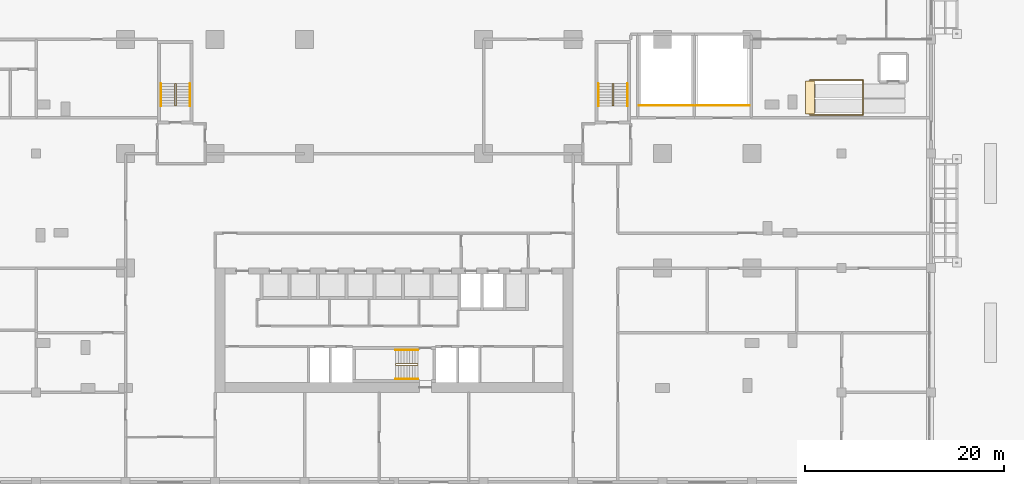
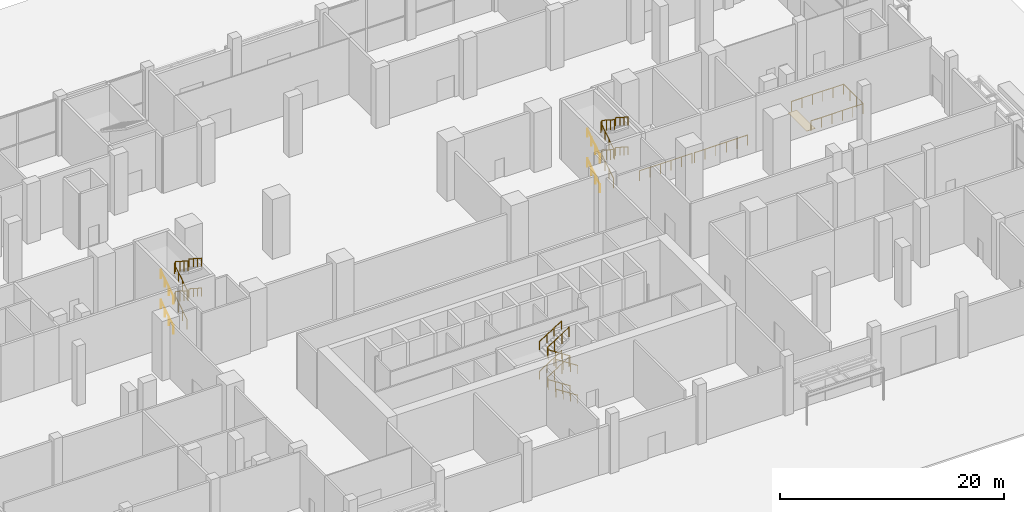
# One storey, part 38 of 39: 18 railings, 1 covering.
"""IFC4 building model written with IfcOpenShell, lengths in metres."""

import ifcopenshell
import ifcopenshell.guid

model = None  # the IFC model being written
_history = None  # IfcOwnerHistory: only IFC2X3 demands one
_inside = {}  # id of a spatial element -> (the spatial element, [elements in it])
_under = {}  # id of a project, library or spatial element -> (it, [spatial elements below it])
_declared = {}  # id of a project -> (the project, [libraries it declares])
_typed = {}  # id of a type object -> (the type object, [elements of that type])
_made_of = {}  # id of a material, layer set ... -> (it, [elements and type objects made of it])


def new_model(schema):
    """Start an empty IFC model of exactly this schema.

    Asked for "IFC4X3", IfcOpenShell would pick the latest addendum, in which some entities
    have other attributes; the version numbers below select the first issue.
    IFC2X3 requires an IfcOwnerHistory on every rooted entity: one is made here for all.
    """
    global model, _history
    if schema == "IFC4X3":
        model = ifcopenshell.file(schema_version=(4, 3, 0, 0))
    else:
        model = ifcopenshell.file(schema=schema)
    _inside.clear()
    _under.clear()
    _declared.clear()
    _typed.clear()
    _made_of.clear()
    _history = None
    if model.schema == "IFC2X3":
        org = make("IfcOrganization", Name="unknown")
        user = make(
            "IfcPersonAndOrganization",
            ThePerson=make("IfcPerson", FamilyName="unknown"),
            TheOrganization=org,
        )
        app = make(
            "IfcApplication",
            ApplicationDeveloper=org,
            Version="unknown",
            ApplicationFullName="unknown",
            ApplicationIdentifier="unknown",
        )
        _history = make(
            "IfcOwnerHistory",
            OwningUser=user,
            OwningApplication=app,
            ChangeAction="ADDED",
            CreationDate=0,
        )
    return model


def make(cls, **values):
    """One entity of the class cls with the attributes given. An attribute that is None is left unset."""
    return model.create_entity(
        cls, **{name: value for name, value in values.items() if value is not None}
    )


def rooted(cls, **values):
    """An entity with a GlobalId (a new one), such as an element, a storey or a relation."""
    return make(cls, GlobalId=ifcopenshell.guid.new(), OwnerHistory=_history, **values)


def si_unit(unit_type, name, prefix=None):
    """IfcSIUnit, for example si_unit("LENGTHUNIT", "METRE", prefix="MILLI")."""
    return make("IfcSIUnit", UnitType=unit_type, Prefix=prefix, Name=name)


def assignment(units):
    """IfcUnitAssignment: the units of a project."""
    return None if units is None else make("IfcUnitAssignment", Units=units)


def point(xyz):
    """IfcCartesianPoint."""
    return None if xyz is None else make("IfcCartesianPoint", Coordinates=xyz)


def direction(xyz):
    """IfcDirection."""
    return None if xyz is None else make("IfcDirection", DirectionRatios=xyz)


def frame(location, z_axis=None, x_axis=None):
    """IfcAxis2Placement3D, a coordinate frame: its origin and axes. An axis left out is left unset."""
    return make(
        "IfcAxis2Placement3D",
        Location=point(location),
        Axis=direction(z_axis),
        RefDirection=direction(x_axis),
    )


def frame_2d(location, x_axis=None):
    """IfcAxis2Placement2D, a coordinate frame in the plane: its origin and x axis."""
    return make(
        "IfcAxis2Placement2D", Location=point(location), RefDirection=direction(x_axis)
    )


def origin():
    """The frame at (0, 0, 0) with its axes left unset."""
    return frame((0.0, 0.0, 0.0))


def origin_2d():
    """The frame at (0, 0) in the plane with its x axis left unset."""
    return frame_2d((0.0, 0.0))


def place(relative_to, where):
    """IfcLocalPlacement: puts the frame where relative to a parent placement (None: the world)."""
    return make(
        "IfcLocalPlacement", PlacementRelTo=relative_to, RelativePlacement=where
    )


def context(
    kind, dimensions, precision=None, world=None, true_north=None, identifier=None
):
    """IfcGeometricRepresentationContext, for example the 3D "Model" context."""
    return make(
        "IfcGeometricRepresentationContext",
        ContextIdentifier=identifier,
        ContextType=kind,
        CoordinateSpaceDimension=dimensions,
        Precision=precision,
        WorldCoordinateSystem=world,
        TrueNorth=true_north,
    )


def subcontext(parent, identifier, kind, view, scale=None):
    """IfcGeometricRepresentationSubContext, for example "Body" below "Model"."""
    return make(
        "IfcGeometricRepresentationSubContext",
        ContextIdentifier=identifier,
        ContextType=kind,
        ParentContext=parent,
        TargetScale=scale,
        TargetView=view,
    )


def project(units=None, contexts=None):
    """IfcProject with its units and contexts."""
    return rooted(
        "IfcProject",
        Name="project",
        RepresentationContexts=contexts,
        UnitsInContext=assignment(units),
    )


def spatial(cls, under=None, at=None, **own):
    """A site, building, storey or space (cls), placed at a placement, below another one or the project."""
    s = rooted(cls, ObjectPlacement=at, **own)
    if under is not None:
        _under.setdefault(under.id(), (under, []))[1].append(s)
    return s


def polyline(points):
    """IfcPolyline through the points."""
    return make("IfcPolyline", Points=[point(p) for p in points])


def profile(cls, at=None, kind="AREA", **sizes):
    """A parametric profile (cls). Its sizes go by their IFC names, for example OverallWidth=200.0."""
    return make(cls, ProfileType=kind, Position=at, **sizes)


def circle(**sizes):
    """IfcCircleProfileDef."""
    return profile("IfcCircleProfileDef", **sizes)


def outline(outer, holes=None, kind="AREA"):
    """IfcArbitraryClosedProfileDef: a profile drawn as a closed curve; with holes, ...WithVoids."""
    if holes is None:
        return make("IfcArbitraryClosedProfileDef", ProfileType=kind, OuterCurve=outer)
    return make(
        "IfcArbitraryProfileDefWithVoids",
        ProfileType=kind,
        OuterCurve=outer,
        InnerCurves=holes,
    )


def extrude(swept, where, along, depth):
    """IfcExtrudedAreaSolid: the profile swept, set in the frame where, extruded along a direction by depth."""
    return make(
        "IfcExtrudedAreaSolid",
        SweptArea=swept,
        Position=where,
        ExtrudedDirection=direction(along),
        Depth=depth,
    )


def shape(context_of_items, identifier, shape_type, items):
    """IfcShapeRepresentation: the items that make up one representation, for example the "Body"."""
    return make(
        "IfcShapeRepresentation",
        ContextOfItems=context_of_items,
        RepresentationIdentifier=identifier,
        RepresentationType=shape_type,
        Items=items,
    )


def material(Name=None, Category=None):
    """IfcMaterial."""
    return make("IfcMaterial", Name=Name, Category=Category)


def layer(
    of_material, thickness, ventilated=None, Name=None, Category=None, Priority=None
):
    """IfcMaterialLayer: one layer of a wall or slab, of a material (None: an air gap)."""
    return make(
        "IfcMaterialLayer",
        Material=of_material,
        LayerThickness=thickness,
        IsVentilated=ventilated,
        Name=Name,
        Category=Category,
        Priority=Priority,
    )


def layer_set(layers, Name=None):
    """IfcMaterialLayerSet."""
    return make("IfcMaterialLayerSet", MaterialLayers=layers, LayerSetName=Name)


def made_of(thing, what):
    """Note that an element or type object is made of a material, layer set ...; save() writes the relation."""
    if what is not None:
        _made_of.setdefault(what.id(), (what, []))[1].append(thing)
    return thing


def type_object(cls, material=None, **own):
    """A type object (cls), such as IfcWallType, which elements share."""
    return made_of(rooted(cls, **own), material)


def element(
    cls,
    number,
    at=None,
    inside=None,
    cuts=None,
    type_object=None,
    material=None,
    context=None,
    identifier="Body",
    shape_type=None,
    held_by="IfcProductDefinitionShape",
    body=None,
    shapes=None,
    **own,
):
    """One element of the class cls, such as IfcWall. Its Tag is "e" and its number.

    at: its placement. inside: the storey or other place that contains it. cuts: it is an
    opening in that element (IfcRelVoidsElement). A single representation is given by context,
    identifier, shape_type and body (its items); several are given by shapes. held_by: the class
    of the entity that holds the representations. save() writes the other relations.
    """
    e = rooted(cls, Tag="e%d" % number, ObjectPlacement=at, **own)
    if body is not None:
        shapes = [shape(context, identifier, shape_type, body)]
    if shapes is not None:
        e.Representation = make(held_by, Representations=shapes)
    if inside is not None:
        _inside.setdefault(inside.id(), (inside, []))[1].append(e)
    if cuts is not None:
        rooted(
            "IfcRelVoidsElement", RelatingBuildingElement=cuts, RelatedOpeningElement=e
        )
    if type_object is not None:
        _typed.setdefault(type_object.id(), (type_object, []))[1].append(e)
    return made_of(e, material)


def aggregate(whole, parts):
    """IfcRelAggregates: a whole, such as a stair, and the parts it consists of."""
    return rooted("IfcRelAggregates", RelatingObject=whole, RelatedObjects=parts)


def save(model, path):
    """Write the relations noted so far, then the file.

    IfcRelAggregates (storeys below a building ...), IfcRelContainedInSpatialStructure (elements
    in a storey), IfcRelDefinesByType, IfcRelAssociatesMaterial and IfcRelDeclares: one each for
    every whole, place, type object, material and project.
    """
    for whole, parts in _under.values():
        aggregate(whole, parts)
    for where, things in _inside.values():
        rooted(
            "IfcRelContainedInSpatialStructure",
            RelatedElements=things,
            RelatingStructure=where,
        )
    for kind, things in _typed.values():
        rooted("IfcRelDefinesByType", RelatedObjects=things, RelatingType=kind)
    for what, things in _made_of.values():
        rooted("IfcRelAssociatesMaterial", RelatedObjects=things, RelatingMaterial=what)
    for by, libraries in _declared.values():
        rooted("IfcRelDeclares", RelatingContext=by, RelatedDefinitions=libraries)
    model.write(path)


model = new_model("IFC4")

# Units and contexts
model_context = context("Model", 3, precision=1e-05, world=origin(), true_north=direction((0.0, 1.0)))
body_context = subcontext(model_context, "Body", "Model", "MODEL_VIEW")
ifc_project = project(units=[si_unit("LENGTHUNIT", "METRE"), si_unit("AREAUNIT", "SQUARE_METRE"), si_unit("VOLUMEUNIT", "CUBIC_METRE"), si_unit("PLANEANGLEUNIT", "RADIAN"), si_unit("MASSUNIT", "GRAM", prefix="KILO")], contexts=[model_context])

# Site, building, storey
site_placement = place(None, origin())
site = spatial("IfcSite", under=ifc_project, at=site_placement, CompositionType="ELEMENT")
building_placement = place(site_placement, origin())
building = spatial("IfcBuilding", under=site, at=building_placement, Name="Brigalow Station Residences", CompositionType="ELEMENT")
storey_placement = place(building_placement, origin())
storey = spatial("IfcBuildingStorey", under=building, at=storey_placement, Name="L00", CompositionType="ELEMENT", Elevation=0.0)

# Covering
ifc_material_1 = material(Name="Aluminium ribbed floor plate", Category="aluminium")
ifc_layer = layer(ifc_material_1, 0.030029296875)
ifc_layer_set = layer_set([ifc_layer], Name="ESCALATOR LANDING PLATE")
covering_type = type_object("IfcCoveringType", Name="ESCALATOR LANDING PLATE", PredefinedType="FLOORING", material=ifc_layer_set)
covering_placement = place(storey_placement, origin())
element("IfcCovering", 1, at=covering_placement, inside=storey, type_object=covering_type, Name="Escalator landing plate", PredefinedType="FLOORING", context=body_context, shape_type="SweptSolid", body=[
    extrude(outline(polyline([(77.39990234375, 28.0), (78.300048828125, 28.0), (78.300048828125, 31.300048828125), (77.39990234375, 31.300048828125), (77.39990234375, 28.0)])), origin(), (0.0, 0.0, 1.0), 0.030029296875),
])

# Railings
ifc_material_2 = material(Name="Stainless steel and toughened glass", Category="steel")
railing_type_1 = type_object("IfcRailingType", Name="GUARD 1100", PredefinedType="GUARDRAIL", material=ifc_material_2)
railing_1_placement = place(storey_placement, frame((77.800048828125, 27.89990234375, 0.0)))
element("IfcRailing", 2, at=railing_1_placement, inside=storey, type_object=railing_type_1, Name="Escalator well ST-A guard", PredefinedType="GUARDRAIL", context=body_context, shape_type="SweptSolid", body=[
    extrude(circle(Radius=0.02392578125, at=origin_2d()), frame((0.0, 0.0, 1.076171875), z_axis=(1.0, 0.0, 0.0), x_axis=(0.0, 1.0, 0.0)), (0.0, 0.0, 1.0), 5.3798828125),
    extrude(circle(Radius=0.02392578125, at=origin_2d()), frame((5.3798828125, 0.0, 1.076171875), z_axis=(0.0, 1.0, 0.0), x_axis=(-1.0, 0.0, 0.0)), (0.0, 0.0, 1.0), 3.5),
    extrude(circle(Radius=0.02392578125, at=origin_2d()), frame((5.3798828125, 3.5, 1.076171875), z_axis=(-1.0, 0.0, 0.0), x_axis=(0.0, -1.0, 0.0)), (0.0, 0.0, 1.0), 5.3798828125),
    extrude(circle(Radius=0.02099609375, at=origin_2d()), origin(), (0.0, 0.0, 1.0), 1.052001953125),
    extrude(circle(Radius=0.02099609375, at=origin_2d()), frame((1.075927734375, 0.0, 0.0)), (0.0, 0.0, 1.0), 1.052001953125),
    extrude(circle(Radius=0.02099609375, at=origin_2d()), frame((2.15185546875, 0.0, 0.0)), (0.0, 0.0, 1.0), 1.052001953125),
    extrude(circle(Radius=0.02099609375, at=origin_2d()), frame((3.22802734375, 0.0, 0.0)), (0.0, 0.0, 1.0), 1.052001953125),
    extrude(circle(Radius=0.02099609375, at=origin_2d()), frame((4.303955078125, 0.0, 0.0)), (0.0, 0.0, 1.0), 1.052001953125),
    extrude(circle(Radius=0.02099609375, at=origin_2d()), frame((5.3798828125, 0.0, 0.0)), (0.0, 0.0, 1.0), 1.052001953125),
    extrude(circle(Radius=0.02099609375, at=origin_2d()), frame((5.3798828125, 1.166748046875, 0.0)), (0.0, 0.0, 1.0), 1.052001953125),
    extrude(circle(Radius=0.02099609375, at=origin_2d()), frame((5.3798828125, 2.333251953125, 0.0)), (0.0, 0.0, 1.0), 1.052001953125),
    extrude(circle(Radius=0.02099609375, at=origin_2d()), frame((5.3798828125, 3.5, 0.0)), (0.0, 0.0, 1.0), 1.052001953125),
    extrude(circle(Radius=0.02099609375, at=origin_2d()), frame((4.303955078125, 3.5, 0.0)), (0.0, 0.0, 1.0), 1.052001953125),
    extrude(circle(Radius=0.02099609375, at=origin_2d()), frame((3.22802734375, 3.5, 0.0)), (0.0, 0.0, 1.0), 1.052001953125),
    extrude(circle(Radius=0.02099609375, at=origin_2d()), frame((2.15185546875, 3.5, 0.0)), (0.0, 0.0, 1.0), 1.052001953125),
    extrude(circle(Radius=0.02099609375, at=origin_2d()), frame((1.075927734375, 3.5, 0.0)), (0.0, 0.0, 1.0), 1.052001953125),
    extrude(circle(Radius=0.02099609375, at=origin_2d()), frame((0.0, 3.5, 0.0)), (0.0, 0.0, 1.0), 1.052001953125),
])
for number, where, name in (
    (3, (60.625, 28.824951171875, 0.0), "Exit stair ES1 top landing guard"),
    (4, (66.324951171875, 28.824951171875, 0.0), "Exit stair ES2 top landing guard"),
):
    element("IfcRailing", number, at=place(storey_placement, frame(where)), inside=storey, type_object=railing_type_1, Name=name, PredefinedType="GUARDRAIL", context=body_context, shape_type="SweptSolid", body=[
        extrude(circle(Radius=0.02392578125, at=origin_2d()), frame((0.0, 0.0, 1.076171875), z_axis=(1.0, 0.0, 0.0), x_axis=(0.0, 1.0, 0.0)), (0.0, 0.0, 1.0), 5.449951171875),
        extrude(circle(Radius=0.02099609375, at=origin_2d()), origin(), (0.0, 0.0, 1.0), 1.052001953125),
        extrude(circle(Radius=0.02099609375, at=origin_2d()), frame((1.090087890625, 0.0, 0.0)), (0.0, 0.0, 1.0), 1.052001953125),
        extrude(circle(Radius=0.02099609375, at=origin_2d()), frame((2.179931640625, 0.0, 0.0)), (0.0, 0.0, 1.0), 1.052001953125),
        extrude(circle(Radius=0.02099609375, at=origin_2d()), frame((3.27001953125, 0.0, 0.0)), (0.0, 0.0, 1.0), 1.052001953125),
        extrude(circle(Radius=0.02099609375, at=origin_2d()), frame((4.35986328125, 0.0, 0.0)), (0.0, 0.0, 1.0), 1.052001953125),
        extrude(circle(Radius=0.02099609375, at=origin_2d()), frame((5.449951171875, 0.0, 0.0)), (0.0, 0.0, 1.0), 1.052001953125),
    ])
ifc_material_3 = material(Name="Stainless steel balustrade", Category="steel")
railing_type_2 = type_object("IfcRailingType", Name="STAIR GUARD 1100", PredefinedType="GUARDRAIL", material=ifc_material_3)
railing_2_placement = place(storey_placement, frame((38.39990234375, 2.72998046875, 0.180908203125)))
element("IfcRailing", 5, at=railing_2_placement, inside=storey, type_object=railing_type_2, Name="GUARD GR-2", PredefinedType="GUARDRAIL", context=body_context, shape_type="SweptSolid", body=[
    extrude(circle(Radius=0.02392578125, at=origin_2d()), frame((0.0, 0.0, 1.076171875), z_axis=(-0.840478330786, 0.0, 0.541845158213), x_axis=(0.0, -1.0, 0.0)), (0.0, 0.0, 1.0), 2.6650390625),
    extrude(circle(Radius=0.02392578125, at=origin_2d()), frame((-2.239990234375, 0.0, 2.52001953125), z_axis=(0.0, 0.612388350796, 0.790557087003), x_axis=(-1.0, 0.0, 0.0)), (0.0, 0.0, 1.0), 0.228759765625),
    extrude(circle(Radius=0.02392578125, at=origin_2d()), frame((-2.239990234375, 0.14013671875, 2.701171875), z_axis=(0.840478330786, 0.0, 0.541845158213), x_axis=(0.0, 1.0, 0.0)), (0.0, 0.0, 1.0), 2.6650390625),
    extrude(circle(Radius=0.02392578125, at=origin_2d()), frame((0.0, 0.14013671875, 4.14501953125), z_axis=(0.0, -0.612388350796, 0.790557087003), x_axis=(1.0, 0.0, 0.0)), (0.0, 0.0, 1.0), 0.228759765625),
    extrude(circle(Radius=0.02392578125, at=origin_2d()), frame((0.0, 0.0, 4.326171875), z_axis=(-0.840478330786, 0.0, 0.541845158213), x_axis=(0.0, -1.0, 0.0)), (0.0, 0.0, 1.0), 2.6650390625),
    extrude(circle(Radius=0.02392578125, at=origin_2d()), frame((-2.239990234375, 0.0, 5.77001953125), z_axis=(0.0, 0.612388350796, 0.790557087003), x_axis=(-1.0, 0.0, 0.0)), (0.0, 0.0, 1.0), 0.228759765625),
    extrude(circle(Radius=0.02392578125, at=origin_2d()), frame((-2.239990234375, 0.14013671875, 5.951171875), z_axis=(0.840478330786, 0.0, 0.541845158213), x_axis=(0.0, 1.0, 0.0)), (0.0, 0.0, 1.0), 2.6650390625),
    extrude(circle(Radius=0.02099609375, at=origin_2d()), origin(), (0.0, 0.0, 1.0), 1.052001953125),
    extrude(circle(Radius=0.02099609375, at=origin_2d()), frame((-0.74658203125, 0.0, 0.4814453125)), (0.0, 0.0, 1.0), 1.052001953125),
    extrude(circle(Radius=0.02099609375, at=origin_2d()), frame((-1.493408203125, 0.0, 0.962646484375)), (0.0, 0.0, 1.0), 1.052001953125),
    extrude(circle(Radius=0.02099609375, at=origin_2d()), frame((-2.239990234375, 0.0, 1.444091796875)), (0.0, 0.0, 1.0), 1.052001953125),
    extrude(circle(Radius=0.02099609375, at=origin_2d()), frame((-2.239990234375, 0.14013671875, 1.625)), (0.0, 0.0, 1.0), 1.052001953125),
    extrude(circle(Radius=0.02099609375, at=origin_2d()), frame((-1.493408203125, 0.14013671875, 2.1064453125)), (0.0, 0.0, 1.0), 1.052001953125),
    extrude(circle(Radius=0.02099609375, at=origin_2d()), frame((-0.74658203125, 0.14013671875, 2.587646484375)), (0.0, 0.0, 1.0), 1.052001953125),
    extrude(circle(Radius=0.02099609375, at=origin_2d()), frame((0.0, 0.14013671875, 3.069091796875)), (0.0, 0.0, 1.0), 1.052001953125),
    extrude(circle(Radius=0.02099609375, at=origin_2d()), frame((0.0, 0.0, 3.25)), (0.0, 0.0, 1.0), 1.052001953125),
    extrude(circle(Radius=0.02099609375, at=origin_2d()), frame((-0.74658203125, 0.0, 3.7314453125)), (0.0, 0.0, 1.0), 1.052001953125),
    extrude(circle(Radius=0.02099609375, at=origin_2d()), frame((-1.493408203125, 0.0, 4.212646484375)), (0.0, 0.0, 1.0), 1.052001953125),
    extrude(circle(Radius=0.02099609375, at=origin_2d()), frame((-2.239990234375, 0.0, 4.694091796875)), (0.0, 0.0, 1.0), 1.052001953125),
    extrude(circle(Radius=0.02099609375, at=origin_2d()), frame((-2.239990234375, 0.14013671875, 4.875)), (0.0, 0.0, 1.0), 1.052001953125),
    extrude(circle(Radius=0.02099609375, at=origin_2d()), frame((-1.493408203125, 0.14013671875, 5.3564453125)), (0.0, 0.0, 1.0), 1.052001953125),
    extrude(circle(Radius=0.02099609375, at=origin_2d()), frame((-0.74658203125, 0.14013671875, 5.837646484375)), (0.0, 0.0, 1.0), 1.052001953125),
    extrude(circle(Radius=0.02099609375, at=origin_2d()), frame((0.0, 0.14013671875, 6.319091796875)), (0.0, 0.0, 1.0), 1.052001953125),
])
railing_3_placement = place(storey_placement, frame((13.929931640625, 28.800048828125, 0.180908203125)))
element("IfcRailing", 6, at=railing_3_placement, inside=storey, type_object=railing_type_2, Name="GUARD GR-1", PredefinedType="GUARDRAIL", context=body_context, shape_type="SweptSolid", body=[
    extrude(circle(Radius=0.02392578125, at=origin_2d()), frame((0.0, 0.0, 1.076171875), z_axis=(0.0, 0.840478330786, 0.541845158213), x_axis=(-1.0, 0.0, 0.0)), (0.0, 0.0, 1.0), 2.6650390625),
    extrude(circle(Radius=0.02392578125, at=origin_2d()), frame((0.0, 2.239990234375, 2.52001953125), z_axis=(0.612388350796, 0.0, 0.790557087003), x_axis=(0.0, 1.0, 0.0)), (0.0, 0.0, 1.0), 0.228759765625),
    extrude(circle(Radius=0.02392578125, at=origin_2d()), frame((0.14013671875, 2.239990234375, 2.701171875), z_axis=(0.0, -0.840478330786, 0.541845158213), x_axis=(1.0, 0.0, 0.0)), (0.0, 0.0, 1.0), 2.6650390625),
    extrude(circle(Radius=0.02392578125, at=origin_2d()), frame((0.14013671875, 0.0, 4.14501953125), z_axis=(-0.612388350796, 0.0, 0.790557087003), x_axis=(0.0, -1.0, 0.0)), (0.0, 0.0, 1.0), 0.228759765625),
    extrude(circle(Radius=0.02392578125, at=origin_2d()), frame((0.0, 0.0, 4.326171875), z_axis=(0.0, 0.840478330786, 0.541845158213), x_axis=(-1.0, 0.0, 0.0)), (0.0, 0.0, 1.0), 2.6650390625),
    extrude(circle(Radius=0.02392578125, at=origin_2d()), frame((0.0, 2.239990234375, 5.77001953125), z_axis=(0.612388350796, 0.0, 0.790557087003), x_axis=(0.0, 1.0, 0.0)), (0.0, 0.0, 1.0), 0.228759765625),
    extrude(circle(Radius=0.02392578125, at=origin_2d()), frame((0.14013671875, 2.239990234375, 5.951171875), z_axis=(0.0, -0.840478330786, 0.541845158213), x_axis=(1.0, 0.0, 0.0)), (0.0, 0.0, 1.0), 2.6650390625),
    extrude(circle(Radius=0.02099609375, at=origin_2d()), origin(), (0.0, 0.0, 1.0), 1.052001953125),
    extrude(circle(Radius=0.02099609375, at=origin_2d()), frame((0.0, 0.74658203125, 0.4814453125)), (0.0, 0.0, 1.0), 1.052001953125),
    extrude(circle(Radius=0.02099609375, at=origin_2d()), frame((0.0, 1.493408203125, 0.962646484375)), (0.0, 0.0, 1.0), 1.052001953125),
    extrude(circle(Radius=0.02099609375, at=origin_2d()), frame((0.0, 2.239990234375, 1.444091796875)), (0.0, 0.0, 1.0), 1.052001953125),
    extrude(circle(Radius=0.02099609375, at=origin_2d()), frame((0.14013671875, 2.239990234375, 1.625)), (0.0, 0.0, 1.0), 1.052001953125),
    extrude(circle(Radius=0.02099609375, at=origin_2d()), frame((0.14013671875, 1.493408203125, 2.1064453125)), (0.0, 0.0, 1.0), 1.052001953125),
    extrude(circle(Radius=0.02099609375, at=origin_2d()), frame((0.14013671875, 0.74658203125, 2.587646484375)), (0.0, 0.0, 1.0), 1.052001953125),
    extrude(circle(Radius=0.02099609375, at=origin_2d()), frame((0.14013671875, 0.0, 3.069091796875)), (0.0, 0.0, 1.0), 1.052001953125),
    extrude(circle(Radius=0.02099609375, at=origin_2d()), frame((0.0, 0.0, 3.25)), (0.0, 0.0, 1.0), 1.052001953125),
    extrude(circle(Radius=0.02099609375, at=origin_2d()), frame((0.0, 0.74658203125, 3.7314453125)), (0.0, 0.0, 1.0), 1.052001953125),
    extrude(circle(Radius=0.02099609375, at=origin_2d()), frame((0.0, 1.493408203125, 4.212646484375)), (0.0, 0.0, 1.0), 1.052001953125),
    extrude(circle(Radius=0.02099609375, at=origin_2d()), frame((0.0, 2.239990234375, 4.694091796875)), (0.0, 0.0, 1.0), 1.052001953125),
    extrude(circle(Radius=0.02099609375, at=origin_2d()), frame((0.14013671875, 2.239990234375, 4.875)), (0.0, 0.0, 1.0), 1.052001953125),
    extrude(circle(Radius=0.02099609375, at=origin_2d()), frame((0.14013671875, 1.493408203125, 5.3564453125)), (0.0, 0.0, 1.0), 1.052001953125),
    extrude(circle(Radius=0.02099609375, at=origin_2d()), frame((0.14013671875, 0.74658203125, 5.837646484375)), (0.0, 0.0, 1.0), 1.052001953125),
    extrude(circle(Radius=0.02099609375, at=origin_2d()), frame((0.14013671875, 0.0, 6.319091796875)), (0.0, 0.0, 1.0), 1.052001953125),
])
railing_4_placement = place(storey_placement, frame((57.929931640625, 28.800048828125, 0.180908203125)))
element("IfcRailing", 7, at=railing_4_placement, inside=storey, type_object=railing_type_2, Name="GUARD GR-3", PredefinedType="GUARDRAIL", context=body_context, shape_type="SweptSolid", body=[
    extrude(circle(Radius=0.02392578125, at=origin_2d()), frame((0.0, 0.0, 1.076171875), z_axis=(0.0, 0.840478330786, 0.541845158213), x_axis=(-1.0, 0.0, 0.0)), (0.0, 0.0, 1.0), 2.6650390625),
    extrude(circle(Radius=0.02392578125, at=origin_2d()), frame((0.0, 2.239990234375, 2.52001953125), z_axis=(0.612388350796, 0.0, 0.790557087003), x_axis=(0.0, 1.0, 0.0)), (0.0, 0.0, 1.0), 0.228759765625),
    extrude(circle(Radius=0.02392578125, at=origin_2d()), frame((0.14013671875, 2.239990234375, 2.701171875), z_axis=(0.0, -0.840478330786, 0.541845158213), x_axis=(1.0, 0.0, 0.0)), (0.0, 0.0, 1.0), 2.6650390625),
    extrude(circle(Radius=0.02392578125, at=origin_2d()), frame((0.14013671875, 0.0, 4.14501953125), z_axis=(-0.612388350796, 0.0, 0.790557087003), x_axis=(0.0, -1.0, 0.0)), (0.0, 0.0, 1.0), 0.228759765625),
    extrude(circle(Radius=0.02392578125, at=origin_2d()), frame((0.0, 0.0, 4.326171875), z_axis=(0.0, 0.840478330786, 0.541845158213), x_axis=(-1.0, 0.0, 0.0)), (0.0, 0.0, 1.0), 2.6650390625),
    extrude(circle(Radius=0.02392578125, at=origin_2d()), frame((0.0, 2.239990234375, 5.77001953125), z_axis=(0.612388350796, 0.0, 0.790557087003), x_axis=(0.0, 1.0, 0.0)), (0.0, 0.0, 1.0), 0.228759765625),
    extrude(circle(Radius=0.02392578125, at=origin_2d()), frame((0.14013671875, 2.239990234375, 5.951171875), z_axis=(0.0, -0.840478330786, 0.541845158213), x_axis=(1.0, 0.0, 0.0)), (0.0, 0.0, 1.0), 2.6650390625),
    extrude(circle(Radius=0.02099609375, at=origin_2d()), origin(), (0.0, 0.0, 1.0), 1.052001953125),
    extrude(circle(Radius=0.02099609375, at=origin_2d()), frame((0.0, 0.74658203125, 0.4814453125)), (0.0, 0.0, 1.0), 1.052001953125),
    extrude(circle(Radius=0.02099609375, at=origin_2d()), frame((0.0, 1.493408203125, 0.962646484375)), (0.0, 0.0, 1.0), 1.052001953125),
    extrude(circle(Radius=0.02099609375, at=origin_2d()), frame((0.0, 2.239990234375, 1.444091796875)), (0.0, 0.0, 1.0), 1.052001953125),
    extrude(circle(Radius=0.02099609375, at=origin_2d()), frame((0.14013671875, 2.239990234375, 1.625)), (0.0, 0.0, 1.0), 1.052001953125),
    extrude(circle(Radius=0.02099609375, at=origin_2d()), frame((0.14013671875, 1.493408203125, 2.1064453125)), (0.0, 0.0, 1.0), 1.052001953125),
    extrude(circle(Radius=0.02099609375, at=origin_2d()), frame((0.14013671875, 0.74658203125, 2.587646484375)), (0.0, 0.0, 1.0), 1.052001953125),
    extrude(circle(Radius=0.02099609375, at=origin_2d()), frame((0.14013671875, 0.0, 3.069091796875)), (0.0, 0.0, 1.0), 1.052001953125),
    extrude(circle(Radius=0.02099609375, at=origin_2d()), frame((0.0, 0.0, 3.25)), (0.0, 0.0, 1.0), 1.052001953125),
    extrude(circle(Radius=0.02099609375, at=origin_2d()), frame((0.0, 0.74658203125, 3.7314453125)), (0.0, 0.0, 1.0), 1.052001953125),
    extrude(circle(Radius=0.02099609375, at=origin_2d()), frame((0.0, 1.493408203125, 4.212646484375)), (0.0, 0.0, 1.0), 1.052001953125),
    extrude(circle(Radius=0.02099609375, at=origin_2d()), frame((0.0, 2.239990234375, 4.694091796875)), (0.0, 0.0, 1.0), 1.052001953125),
    extrude(circle(Radius=0.02099609375, at=origin_2d()), frame((0.14013671875, 2.239990234375, 4.875)), (0.0, 0.0, 1.0), 1.052001953125),
    extrude(circle(Radius=0.02099609375, at=origin_2d()), frame((0.14013671875, 1.493408203125, 5.3564453125)), (0.0, 0.0, 1.0), 1.052001953125),
    extrude(circle(Radius=0.02099609375, at=origin_2d()), frame((0.14013671875, 0.74658203125, 5.837646484375)), (0.0, 0.0, 1.0), 1.052001953125),
    extrude(circle(Radius=0.02099609375, at=origin_2d()), frame((0.14013671875, 0.0, 6.319091796875)), (0.0, 0.0, 1.0), 1.052001953125),
])
ifc_material_4 = material(Name="Stainless steel handrail", Category="steel")
railing_type_3 = type_object("IfcRailingType", Name="STAIR HANDRAIL 900", PredefinedType="HANDRAIL", material=ifc_material_4)
railing_5_placement = place(storey_placement, frame((38.39990234375, 1.340087890625, 0.180908203125)))
element("IfcRailing", 8, at=railing_5_placement, inside=storey, type_object=railing_type_3, Name="HANDRAIL HR-21", PredefinedType="HANDRAIL", context=body_context, shape_type="SweptSolid", body=[
    extrude(circle(Radius=0.02392578125, at=origin_2d()), frame((0.0, 0.0, 0.8759765625), z_axis=(-0.840478330786, 0.0, 0.541845158213), x_axis=(0.0, -1.0, 0.0)), (0.0, 0.0, 1.0), 2.6650390625),
    extrude(circle(Radius=0.02099609375, at=origin_2d()), origin(), (0.0, 0.0, 1.0), 0.851806640625),
    extrude(circle(Radius=0.02099609375, at=origin_2d()), frame((-0.74658203125, 0.0, 0.4814453125)), (0.0, 0.0, 1.0), 0.851806640625),
    extrude(circle(Radius=0.02099609375, at=origin_2d()), frame((-1.493408203125, 0.0, 0.962646484375)), (0.0, 0.0, 1.0), 0.851806640625),
    extrude(circle(Radius=0.02099609375, at=origin_2d()), frame((-2.239990234375, 0.0, 1.444091796875)), (0.0, 0.0, 1.0), 0.851806640625),
])
railing_6_placement = place(storey_placement, frame((36.159912109375, 4.260009765625, 1.805908203125)))
element("IfcRailing", 9, at=railing_6_placement, inside=storey, type_object=railing_type_3, Name="HANDRAIL HR-22", PredefinedType="HANDRAIL", context=body_context, shape_type="SweptSolid", body=[
    extrude(circle(Radius=0.02392578125, at=origin_2d()), frame((0.0, 0.0, 0.8759765625), z_axis=(0.840478330786, 0.0, 0.541845158213), x_axis=(0.0, 1.0, 0.0)), (0.0, 0.0, 1.0), 2.6650390625),
    extrude(circle(Radius=0.02099609375, at=origin_2d()), origin(), (0.0, 0.0, 1.0), 0.851806640625),
    extrude(circle(Radius=0.02099609375, at=origin_2d()), frame((0.74658203125, 0.0, 0.4814453125)), (0.0, 0.0, 1.0), 0.851806640625),
    extrude(circle(Radius=0.02099609375, at=origin_2d()), frame((1.493408203125, 0.0, 0.962646484375)), (0.0, 0.0, 1.0), 0.851806640625),
    extrude(circle(Radius=0.02099609375, at=origin_2d()), frame((2.239990234375, 0.0, 1.444091796875)), (0.0, 0.0, 1.0), 0.851806640625),
])
railing_7_placement = place(storey_placement, frame((38.39990234375, 1.340087890625, 3.430908203125)))
element("IfcRailing", 10, at=railing_7_placement, inside=storey, type_object=railing_type_3, Name="HANDRAIL HR-23", PredefinedType="HANDRAIL", context=body_context, shape_type="SweptSolid", body=[
    extrude(circle(Radius=0.02392578125, at=origin_2d()), frame((0.0, 0.0, 0.8759765625), z_axis=(-0.840478330786, 0.0, 0.541845158213), x_axis=(0.0, -1.0, 0.0)), (0.0, 0.0, 1.0), 2.6650390625),
    extrude(circle(Radius=0.02099609375, at=origin_2d()), origin(), (0.0, 0.0, 1.0), 0.851806640625),
    extrude(circle(Radius=0.02099609375, at=origin_2d()), frame((-0.74658203125, 0.0, 0.4814453125)), (0.0, 0.0, 1.0), 0.851806640625),
    extrude(circle(Radius=0.02099609375, at=origin_2d()), frame((-1.493408203125, 0.0, 0.962646484375)), (0.0, 0.0, 1.0), 0.851806640625),
    extrude(circle(Radius=0.02099609375, at=origin_2d()), frame((-2.239990234375, 0.0, 1.444091796875)), (0.0, 0.0, 1.0), 0.851806640625),
])
railing_8_placement = place(storey_placement, frame((36.159912109375, 4.260009765625, 5.055908203125)))
element("IfcRailing", 11, at=railing_8_placement, inside=storey, type_object=railing_type_3, Name="HANDRAIL HR-24", PredefinedType="HANDRAIL", context=body_context, shape_type="SweptSolid", body=[
    extrude(circle(Radius=0.02392578125, at=origin_2d()), frame((0.0, 0.0, 0.8759765625), z_axis=(0.840478330786, 0.0, 0.541845158213), x_axis=(0.0, 1.0, 0.0)), (0.0, 0.0, 1.0), 2.6650390625),
    extrude(circle(Radius=0.02099609375, at=origin_2d()), origin(), (0.0, 0.0, 1.0), 0.851806640625),
    extrude(circle(Radius=0.02099609375, at=origin_2d()), frame((0.74658203125, 0.0, 0.4814453125)), (0.0, 0.0, 1.0), 0.851806640625),
    extrude(circle(Radius=0.02099609375, at=origin_2d()), frame((1.493408203125, 0.0, 0.962646484375)), (0.0, 0.0, 1.0), 0.851806640625),
    extrude(circle(Radius=0.02099609375, at=origin_2d()), frame((2.239990234375, 0.0, 1.444091796875)), (0.0, 0.0, 1.0), 0.851806640625),
])
railing_9_placement = place(storey_placement, frame((12.5400390625, 28.800048828125, 0.180908203125)))
element("IfcRailing", 12, at=railing_9_placement, inside=storey, type_object=railing_type_3, Name="HANDRAIL HR-11", PredefinedType="HANDRAIL", context=body_context, shape_type="SweptSolid", body=[
    extrude(circle(Radius=0.02392578125, at=origin_2d()), frame((0.0, 0.0, 0.8759765625), z_axis=(0.0, 0.840478330786, 0.541845158213), x_axis=(-1.0, 0.0, 0.0)), (0.0, 0.0, 1.0), 2.6650390625),
    extrude(circle(Radius=0.02099609375, at=origin_2d()), origin(), (0.0, 0.0, 1.0), 0.851806640625),
    extrude(circle(Radius=0.02099609375, at=origin_2d()), frame((0.0, 0.74658203125, 0.4814453125)), (0.0, 0.0, 1.0), 0.851806640625),
    extrude(circle(Radius=0.02099609375, at=origin_2d()), frame((0.0, 1.493408203125, 0.962646484375)), (0.0, 0.0, 1.0), 0.851806640625),
    extrude(circle(Radius=0.02099609375, at=origin_2d()), frame((0.0, 2.239990234375, 1.444091796875)), (0.0, 0.0, 1.0), 0.851806640625),
])
railing_10_placement = place(storey_placement, frame((15.4599609375, 31.0400390625, 1.805908203125)))
element("IfcRailing", 13, at=railing_10_placement, inside=storey, type_object=railing_type_3, Name="HANDRAIL HR-12", PredefinedType="HANDRAIL", context=body_context, shape_type="SweptSolid", body=[
    extrude(circle(Radius=0.02392578125, at=origin_2d()), frame((0.0, 0.0, 0.8759765625), z_axis=(0.0, -0.840478330786, 0.541845158213), x_axis=(1.0, 0.0, 0.0)), (0.0, 0.0, 1.0), 2.6650390625),
    extrude(circle(Radius=0.02099609375, at=origin_2d()), origin(), (0.0, 0.0, 1.0), 0.851806640625),
    extrude(circle(Radius=0.02099609375, at=origin_2d()), frame((0.0, -0.74658203125, 0.4814453125)), (0.0, 0.0, 1.0), 0.851806640625),
    extrude(circle(Radius=0.02099609375, at=origin_2d()), frame((0.0, -1.493408203125, 0.962646484375)), (0.0, 0.0, 1.0), 0.851806640625),
    extrude(circle(Radius=0.02099609375, at=origin_2d()), frame((0.0, -2.239990234375, 1.444091796875)), (0.0, 0.0, 1.0), 0.851806640625),
])
railing_11_placement = place(storey_placement, frame((12.5400390625, 28.800048828125, 3.430908203125)))
element("IfcRailing", 14, at=railing_11_placement, inside=storey, type_object=railing_type_3, Name="HANDRAIL HR-13", PredefinedType="HANDRAIL", context=body_context, shape_type="SweptSolid", body=[
    extrude(circle(Radius=0.02392578125, at=origin_2d()), frame((0.0, 0.0, 0.8759765625), z_axis=(0.0, 0.840478330786, 0.541845158213), x_axis=(-1.0, 0.0, 0.0)), (0.0, 0.0, 1.0), 2.6650390625),
    extrude(circle(Radius=0.02099609375, at=origin_2d()), origin(), (0.0, 0.0, 1.0), 0.851806640625),
    extrude(circle(Radius=0.02099609375, at=origin_2d()), frame((0.0, 0.74658203125, 0.4814453125)), (0.0, 0.0, 1.0), 0.851806640625),
    extrude(circle(Radius=0.02099609375, at=origin_2d()), frame((0.0, 1.493408203125, 0.962646484375)), (0.0, 0.0, 1.0), 0.851806640625),
    extrude(circle(Radius=0.02099609375, at=origin_2d()), frame((0.0, 2.239990234375, 1.444091796875)), (0.0, 0.0, 1.0), 0.851806640625),
])
railing_12_placement = place(storey_placement, frame((15.4599609375, 31.0400390625, 5.055908203125)))
element("IfcRailing", 15, at=railing_12_placement, inside=storey, type_object=railing_type_3, Name="HANDRAIL HR-14", PredefinedType="HANDRAIL", context=body_context, shape_type="SweptSolid", body=[
    extrude(circle(Radius=0.02392578125, at=origin_2d()), frame((0.0, 0.0, 0.8759765625), z_axis=(0.0, -0.840478330786, 0.541845158213), x_axis=(1.0, 0.0, 0.0)), (0.0, 0.0, 1.0), 2.6650390625),
    extrude(circle(Radius=0.02099609375, at=origin_2d()), origin(), (0.0, 0.0, 1.0), 0.851806640625),
    extrude(circle(Radius=0.02099609375, at=origin_2d()), frame((0.0, -0.74658203125, 0.4814453125)), (0.0, 0.0, 1.0), 0.851806640625),
    extrude(circle(Radius=0.02099609375, at=origin_2d()), frame((0.0, -1.493408203125, 0.962646484375)), (0.0, 0.0, 1.0), 0.851806640625),
    extrude(circle(Radius=0.02099609375, at=origin_2d()), frame((0.0, -2.239990234375, 1.444091796875)), (0.0, 0.0, 1.0), 0.851806640625),
])
railing_13_placement = place(storey_placement, frame((56.5400390625, 28.800048828125, 0.180908203125)))
element("IfcRailing", 16, at=railing_13_placement, inside=storey, type_object=railing_type_3, Name="HANDRAIL HR-31", PredefinedType="HANDRAIL", context=body_context, shape_type="SweptSolid", body=[
    extrude(circle(Radius=0.02392578125, at=origin_2d()), frame((0.0, 0.0, 0.8759765625), z_axis=(0.0, 0.840478330786, 0.541845158213), x_axis=(-1.0, 0.0, 0.0)), (0.0, 0.0, 1.0), 2.6650390625),
    extrude(circle(Radius=0.02099609375, at=origin_2d()), origin(), (0.0, 0.0, 1.0), 0.851806640625),
    extrude(circle(Radius=0.02099609375, at=origin_2d()), frame((0.0, 0.74658203125, 0.4814453125)), (0.0, 0.0, 1.0), 0.851806640625),
    extrude(circle(Radius=0.02099609375, at=origin_2d()), frame((0.0, 1.493408203125, 0.962646484375)), (0.0, 0.0, 1.0), 0.851806640625),
    extrude(circle(Radius=0.02099609375, at=origin_2d()), frame((0.0, 2.239990234375, 1.444091796875)), (0.0, 0.0, 1.0), 0.851806640625),
])
railing_14_placement = place(storey_placement, frame((59.4599609375, 31.0400390625, 1.805908203125)))
element("IfcRailing", 17, at=railing_14_placement, inside=storey, type_object=railing_type_3, Name="HANDRAIL HR-32", PredefinedType="HANDRAIL", context=body_context, shape_type="SweptSolid", body=[
    extrude(circle(Radius=0.02392578125, at=origin_2d()), frame((0.0, 0.0, 0.8759765625), z_axis=(0.0, -0.840478330786, 0.541845158213), x_axis=(1.0, 0.0, 0.0)), (0.0, 0.0, 1.0), 2.6650390625),
    extrude(circle(Radius=0.02099609375, at=origin_2d()), origin(), (0.0, 0.0, 1.0), 0.851806640625),
    extrude(circle(Radius=0.02099609375, at=origin_2d()), frame((0.0, -0.74658203125, 0.4814453125)), (0.0, 0.0, 1.0), 0.851806640625),
    extrude(circle(Radius=0.02099609375, at=origin_2d()), frame((0.0, -1.493408203125, 0.962646484375)), (0.0, 0.0, 1.0), 0.851806640625),
    extrude(circle(Radius=0.02099609375, at=origin_2d()), frame((0.0, -2.239990234375, 1.444091796875)), (0.0, 0.0, 1.0), 0.851806640625),
])
railing_15_placement = place(storey_placement, frame((56.5400390625, 28.800048828125, 3.430908203125)))
element("IfcRailing", 18, at=railing_15_placement, inside=storey, type_object=railing_type_3, Name="HANDRAIL HR-33", PredefinedType="HANDRAIL", context=body_context, shape_type="SweptSolid", body=[
    extrude(circle(Radius=0.02392578125, at=origin_2d()), frame((0.0, 0.0, 0.8759765625), z_axis=(0.0, 0.840478330786, 0.541845158213), x_axis=(-1.0, 0.0, 0.0)), (0.0, 0.0, 1.0), 2.6650390625),
    extrude(circle(Radius=0.02099609375, at=origin_2d()), origin(), (0.0, 0.0, 1.0), 0.851806640625),
    extrude(circle(Radius=0.02099609375, at=origin_2d()), frame((0.0, 0.74658203125, 0.4814453125)), (0.0, 0.0, 1.0), 0.851806640625),
    extrude(circle(Radius=0.02099609375, at=origin_2d()), frame((0.0, 1.493408203125, 0.962646484375)), (0.0, 0.0, 1.0), 0.851806640625),
    extrude(circle(Radius=0.02099609375, at=origin_2d()), frame((0.0, 2.239990234375, 1.444091796875)), (0.0, 0.0, 1.0), 0.851806640625),
])
railing_16_placement = place(storey_placement, frame((59.4599609375, 31.0400390625, 5.055908203125)))
element("IfcRailing", 19, at=railing_16_placement, inside=storey, type_object=railing_type_3, Name="HANDRAIL HR-34", PredefinedType="HANDRAIL", context=body_context, shape_type="SweptSolid", body=[
    extrude(circle(Radius=0.02392578125, at=origin_2d()), frame((0.0, 0.0, 0.8759765625), z_axis=(0.0, -0.840478330786, 0.541845158213), x_axis=(1.0, 0.0, 0.0)), (0.0, 0.0, 1.0), 2.6650390625),
    extrude(circle(Radius=0.02099609375, at=origin_2d()), origin(), (0.0, 0.0, 1.0), 0.851806640625),
    extrude(circle(Radius=0.02099609375, at=origin_2d()), frame((0.0, -0.74658203125, 0.4814453125)), (0.0, 0.0, 1.0), 0.851806640625),
    extrude(circle(Radius=0.02099609375, at=origin_2d()), frame((0.0, -1.493408203125, 0.962646484375)), (0.0, 0.0, 1.0), 0.851806640625),
    extrude(circle(Radius=0.02099609375, at=origin_2d()), frame((0.0, -2.239990234375, 1.444091796875)), (0.0, 0.0, 1.0), 0.851806640625),
])

save(model, "model.ifc")
